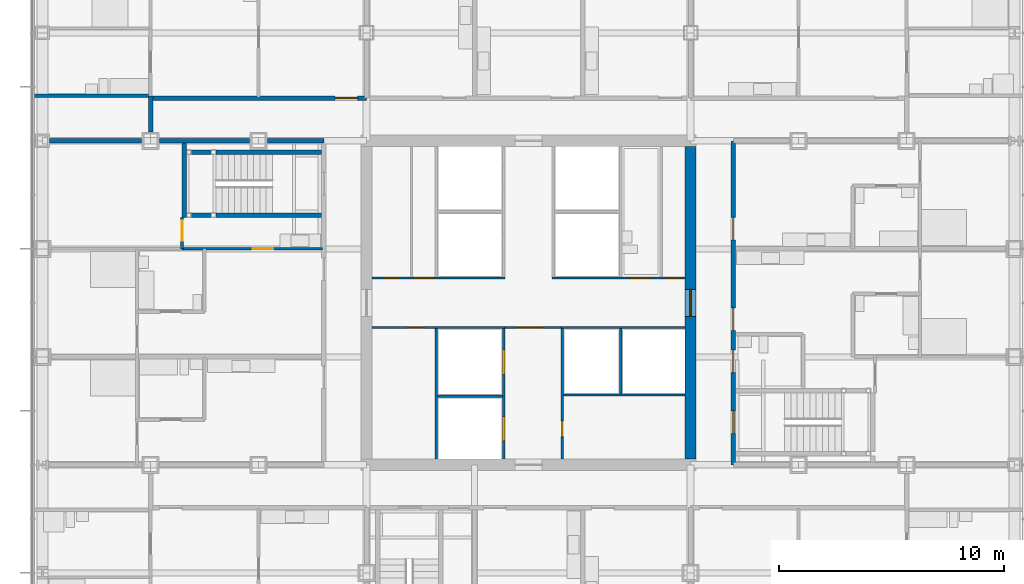
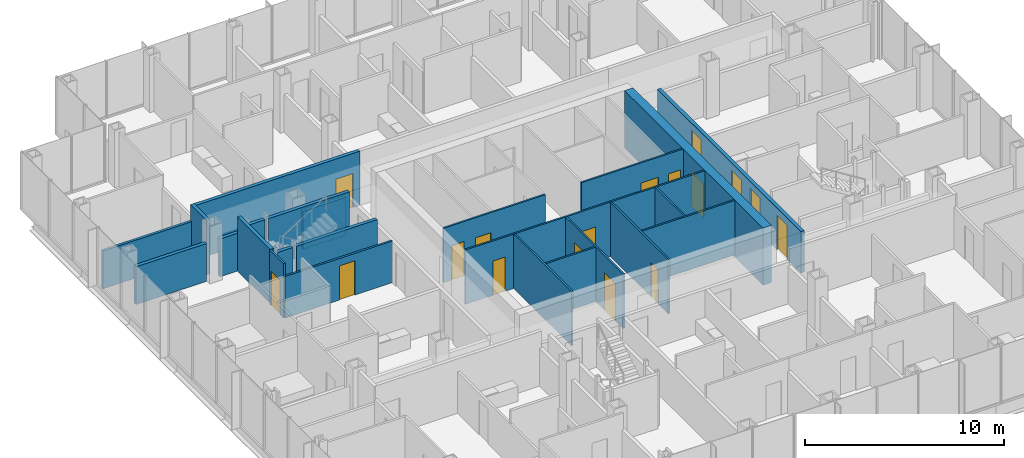
# One storey, part 15 of 21: 26 walls, 17 doors, 17 openings.
"""IFC4 building model written with IfcOpenShell, lengths in metres."""

from ifc_helpers import new_model, si_unit, direction, frame, frame_2d, origin, place, context, subcontext, project, spatial, rectangle, extrude, material, layer, layer_set, type_object, element, fill, save


model = new_model("IFC4")

# Units and contexts
model_context = context("Model", 3, precision=1e-05, world=origin(), true_north=direction((0.0, 1.0)))
body_context = subcontext(model_context, "Body", "Model", "MODEL_VIEW")
ifc_project = project(units=[si_unit("LENGTHUNIT", "METRE"), si_unit("AREAUNIT", "SQUARE_METRE"), si_unit("VOLUMEUNIT", "CUBIC_METRE"), si_unit("PLANEANGLEUNIT", "RADIAN"), si_unit("MASSUNIT", "GRAM", prefix="KILO")], contexts=[model_context])

# Site, building, storey
site_placement = place(None, origin())
site = spatial("IfcSite", under=ifc_project, at=site_placement, CompositionType="ELEMENT")
building_placement = place(site_placement, origin())
building = spatial("IfcBuilding", under=site, at=building_placement, Name="Kvirike Care Tower", CompositionType="ELEMENT")
storey_placement = place(building_placement, frame((0.0, 0.0, 55.0)))
storey = spatial("IfcBuildingStorey", under=building, at=storey_placement, Name="L14", CompositionType="ELEMENT", Elevation=55.0)

# Wall
ifc_material_1 = material(Name="Moisture-resistant board partition", Category="gypsum")
ifc_layer_1 = layer(ifc_material_1, 0.14990234375)
ifc_layer_set_1 = layer_set([ifc_layer_1], Name="BATHROOM WALL 150")
wall_type_1 = type_object("IfcWallType", Name="BATHROOM WALL 150", PredefinedType="PARTITIONING", material=ifc_layer_set_1)
wall_1_placement = place(storey_placement, frame((4.699951171875, 45.199951171875, 0.0), z_axis=(0.0, 0.0, 1.0), x_axis=(-1.0, 0.0, 0.0)))
element("IfcWall", 1, at=wall_1_placement, inside=storey, type_object=wall_type_1, Name="Bathroom Wall 150 L14", PredefinedType="PARTITIONING", context=body_context, shape_type="SweptSolid", body=[
    extrude(rectangle(XDim=5.135009765625, YDim=0.14990234375, at=frame_2d((2.5673828125, 0.0))), origin(), (0.0, 0.0, 1.0), 2.320068359375),
])

# Wall, opening, door
ifc_material_2 = material(Name="Concrete C60/75", Category="concrete")
ifc_layer_2 = layer(ifc_material_2, 0.5)
ifc_layer_set_2 = layer_set([ifc_layer_2], Name="CORE WALL 500 C60-75")
wall_type_2 = type_object("IfcWallType", Name="CORE WALL 500 C60-75", PredefinedType="SHEAR", material=ifc_layer_set_2)
wall_2_placement = place(storey_placement, frame((28.800048828125, 29.050048828125, -0.169921875), z_axis=(0.0, 0.0, 1.0), x_axis=(0.0, 1.0, 0.0)))
wall_2 = element("IfcWall", 2, at=wall_2_placement, inside=storey, type_object=wall_type_2, Name="Core wall E L14", PredefinedType="SHEAR", context=body_context, shape_type="SweptSolid", body=[
    extrude(rectangle(XDim=13.89990234375, YDim=0.5, at=frame_2d((6.949951171875, 0.0))), origin(), (0.0, 0.0, 1.0), 3.5),
])
opening_1_placement = place(wall_2_placement, frame((6.35009765625, 0.0, 0.169921875)))
opening_1 = element("IfcOpeningElement", 3, at=opening_1_placement, cuts=wall_2, Name="Opening 14-077", PredefinedType="OPENING", context=body_context, shape_type="SweptSolid", body=[
    extrude(rectangle(XDim=1.199951171875, YDim=2.10009765625, at=frame_2d((0.60009765625, 1.050048828125))), frame((0.0, 0.260498046875, 0.0), z_axis=(0.0, -1.0, 0.0), x_axis=(1.0, 0.0, 0.0)), (0.0, 0.0, 1.0), 0.52099609375),
])
ifc_material_3 = material(Name="Timber door set", Category="wood")
door_type_1 = type_object("IfcDoorType", Name="CORE DOOR 1200", OperationType="SINGLE_SWING_LEFT", PredefinedType="DOOR", material=ifc_material_3)
door_1_placement = place(opening_1_placement, origin())
door_1 = element("IfcDoor", 4, at=door_1_placement, inside=storey, type_object=door_type_1, Name="Core door E L14", OperationType="SINGLE_SWING_LEFT", OverallHeight=2.10009765625, OverallWidth=1.199951171875, PredefinedType="DOOR", context=body_context, shape_type="SweptSolid", body=[
    extrude(rectangle(XDim=1.199951171875, YDim=2.10009765625, at=frame_2d((0.60009765625, 1.050048828125))), frame((0.0, 0.02685546875, 0.0), z_axis=(0.0, -1.0, 0.0), x_axis=(1.0, 0.0, 0.0)), (0.0, 0.0, 1.0), 0.053955078125),
])
fill(opening_1, door_1)

ifc_material_4 = material(Name="Plasterboard corridor wall", Category="gypsum")
ifc_layer_3 = layer(ifc_material_4, 0.199951171875)
ifc_layer_set_3 = layer_set([ifc_layer_3], Name="CORRIDOR WALL 200")
wall_type_3 = type_object("IfcWallType", Name="CORRIDOR WALL 200", PredefinedType="PARTITIONING", material=ifc_layer_set_3)
wall_3_placement = place(storey_placement, frame((14.39990234375, 45.10009765625, 0.0), z_axis=(0.0, 0.0, 1.0), x_axis=(-1.0, 0.0, 0.0)))
wall_3 = element("IfcWall", 5, at=wall_3_placement, inside=storey, type_object=wall_type_3, Name="Corridor Wall 200 L14", PredefinedType="PARTITIONING", context=body_context, shape_type="SweptSolid", body=[
    extrude(rectangle(XDim=9.599853515625, YDim=0.199951171875, at=frame_2d((4.7998046875, 0.0))), origin(), (0.0, 0.0, 1.0), 3.330078125),
])
opening_2_placement = place(wall_3_placement, frame((0.39990234375, 0.0, 0.0)))
opening_2 = element("IfcOpeningElement", 6, at=opening_2_placement, cuts=wall_3, Name="Opening 14-023", PredefinedType="OPENING", context=body_context, shape_type="SweptSolid", body=[
    extrude(rectangle(XDim=1.0, YDim=2.10009765625, at=frame_2d((0.5, 1.050048828125))), frame((0.0, 0.110595703125, 0.0), z_axis=(0.0, -1.0, 0.0), x_axis=(1.0, 0.0, 0.0)), (0.0, 0.0, 1.0), 0.220947265625),
])
ifc_material_5 = material(Name="Timber door set", Category="wood")
door_type_2 = type_object("IfcDoorType", Name="FLAT ENTRANCE DOOR 1000", OperationType="SINGLE_SWING_LEFT", PredefinedType="DOOR", material=ifc_material_5)
door_2_placement = place(opening_2_placement, frame((1.0, 0.0, 0.0), z_axis=(0.0, 0.0, 1.0), x_axis=(-1.0, 0.0, 0.0)))
door_2 = element("IfcDoor", 7, at=door_2_placement, inside=storey, type_object=door_type_2, Name="Three-bedroom corner apartment entrance", OperationType="SINGLE_SWING_LEFT", OverallHeight=2.10009765625, OverallWidth=1.0, PredefinedType="DOOR", context=body_context, shape_type="SweptSolid", body=[
    extrude(rectangle(XDim=1.0, YDim=2.10009765625, at=frame_2d((0.5, 1.050048828125))), frame((0.0, 0.02685546875, 0.0), z_axis=(0.0, -1.0, 0.0), x_axis=(1.0, 0.0, 0.0)), (0.0, 0.0, 1.0), 0.053955078125),
])
fill(opening_2, door_2)

# Wall
wall_4_placement = place(storey_placement, frame((4.800048828125, 45.199951171875, 0.0), z_axis=(0.0, 0.0, 1.0), x_axis=(0.0, -1.0, 0.0)))
element("IfcWall", 8, at=wall_4_placement, inside=storey, type_object=wall_type_3, Name="Corridor Wall 200 L14", PredefinedType="PARTITIONING", context=body_context, shape_type="SweptSolid", body=[
    extrude(rectangle(XDim=1.60498046875, YDim=0.199951171875, at=frame_2d((0.802490234375, 0.0))), origin(), (0.0, 0.0, 1.0), 3.330078125),
])

# Wall, openings, doors
wall_5_placement = place(storey_placement, frame((30.699951171875, 28.800048828125, 0.0), z_axis=(0.0, 0.0, 1.0), x_axis=(0.0, 1.0, 0.0)))
wall_5 = element("IfcWall", 9, at=wall_5_placement, inside=storey, type_object=wall_type_3, Name="Corridor Wall 200 L14", PredefinedType="PARTITIONING", context=body_context, shape_type="SweptSolid", body=[
    extrude(rectangle(XDim=14.39990234375, YDim=0.199951171875, at=frame_2d((7.199951171875, 0.0))), origin(), (0.0, 0.0, 1.0), 2.550048828125),
])
opening_3_placement = place(wall_5_placement, frame((1.39990234375, 0.0, 0.0)))
opening_3 = element("IfcOpeningElement", 10, at=opening_3_placement, cuts=wall_5, Name="Opening 14-053", PredefinedType="OPENING", context=body_context, shape_type="SweptSolid", body=[
    extrude(rectangle(XDim=1.0, YDim=2.10009765625, at=frame_2d((0.5, 1.050048828125))), frame((0.0, 0.110595703125, 0.0), z_axis=(0.0, -1.0, 0.0), x_axis=(1.0, 0.0, 0.0)), (0.0, 0.0, 1.0), 0.220947265625),
])
opening_4_placement = place(wall_5_placement, frame((4.10009765625, 0.0, 0.0)))
opening_4 = element("IfcOpeningElement", 11, at=opening_4_placement, cuts=wall_5, Name="Opening 14-054", PredefinedType="OPENING", context=body_context, shape_type="SweptSolid", body=[
    extrude(rectangle(XDim=1.0, YDim=2.10009765625, at=frame_2d((0.5, 1.050048828125))), frame((0.0, 0.110595703125, 0.0), z_axis=(0.0, -1.0, 0.0), x_axis=(1.0, 0.0, 0.0)), (0.0, 0.0, 1.0), 0.220947265625),
])
opening_5_placement = place(wall_5_placement, frame((5.97509765625, 0.0, 0.0)))
opening_5 = element("IfcOpeningElement", 12, at=opening_5_placement, cuts=wall_5, Name="Opening 14-055", PredefinedType="OPENING", context=body_context, shape_type="SweptSolid", body=[
    extrude(rectangle(XDim=1.0, YDim=2.10009765625, at=frame_2d((0.5, 1.050048828125))), frame((0.0, 0.110595703125, 0.0), z_axis=(0.0, -1.0, 0.0), x_axis=(1.0, 0.0, 0.0)), (0.0, 0.0, 1.0), 0.220947265625),
])
opening_6_placement = place(wall_5_placement, frame((10.0, 0.0, 0.0)))
opening_6 = element("IfcOpeningElement", 13, at=opening_6_placement, cuts=wall_5, Name="Opening 14-056", PredefinedType="OPENING", context=body_context, shape_type="SweptSolid", body=[
    extrude(rectangle(XDim=1.0, YDim=2.10009765625, at=frame_2d((0.5, 1.050048828125))), frame((0.0, 0.110595703125, 0.0), z_axis=(0.0, -1.0, 0.0), x_axis=(1.0, 0.0, 0.0)), (0.0, 0.0, 1.0), 0.220947265625),
])
door_3_placement = place(opening_5_placement, frame((1.0, 0.0, 0.0), z_axis=(0.0, 0.0, 1.0), x_axis=(-1.0, 0.0, 0.0)))
door_3 = element("IfcDoor", 14, at=door_3_placement, inside=storey, type_object=door_type_2, Name="One-bedroom apartment entrance", OperationType="SINGLE_SWING_LEFT", OverallHeight=2.10009765625, OverallWidth=1.0, PredefinedType="DOOR", context=body_context, shape_type="SweptSolid", body=[
    extrude(rectangle(XDim=1.0, YDim=2.10009765625, at=frame_2d((0.5, 1.050048828125))), frame((0.0, 0.02685546875, 0.0), z_axis=(0.0, -1.0, 0.0), x_axis=(1.0, 0.0, 0.0)), (0.0, 0.0, 1.0), 0.053955078125),
])
fill(opening_5, door_3)
door_4_placement = place(opening_6_placement, frame((1.0, 0.0, 0.0), z_axis=(0.0, 0.0, 1.0), x_axis=(-1.0, 0.0, 0.0)))
door_4 = element("IfcDoor", 15, at=door_4_placement, inside=storey, type_object=door_type_2, Name="Studio apartment entrance", OperationType="SINGLE_SWING_LEFT", OverallHeight=2.10009765625, OverallWidth=1.0, PredefinedType="DOOR", context=body_context, shape_type="SweptSolid", body=[
    extrude(rectangle(XDim=1.0, YDim=2.10009765625, at=frame_2d((0.5, 1.050048828125))), frame((0.0, 0.02685546875, 0.0), z_axis=(0.0, -1.0, 0.0), x_axis=(1.0, 0.0, 0.0)), (0.0, 0.0, 1.0), 0.053955078125),
])
fill(opening_6, door_4)
ifc_material_6 = material(Name="Timber door set", Category="wood")
door_type_3 = type_object("IfcDoorType", Name="STAIR DOOR 1000", OperationType="SINGLE_SWING_LEFT", PredefinedType="DOOR", material=ifc_material_6)
door_5_placement = place(opening_3_placement, frame((1.0, 0.0, 0.0), z_axis=(0.0, 0.0, 1.0), x_axis=(-1.0, 0.0, 0.0)))
door_5 = element("IfcDoor", 16, at=door_5_placement, inside=storey, type_object=door_type_3, Name="Stair 2 door", OperationType="SINGLE_SWING_RIGHT", OverallHeight=2.10009765625, OverallWidth=1.0, PredefinedType="DOOR", context=body_context, shape_type="SweptSolid", body=[
    extrude(rectangle(XDim=1.0, YDim=2.10009765625, at=frame_2d((0.5, 1.050048828125))), frame((0.0, 0.031982421875, 0.0), z_axis=(0.0, -1.0, 0.0), x_axis=(1.0, 0.0, 0.0)), (0.0, 0.0, 1.0), 0.06396484375),
])
fill(opening_3, door_5)
ifc_material_7 = material(Name="Timber door set", Category="wood")
door_type_4 = type_object("IfcDoorType", Name="WC DOOR 1000", OperationType="SINGLE_SWING_LEFT", PredefinedType="DOOR", material=ifc_material_7)
door_6_placement = place(opening_4_placement, frame((1.0, 0.0, 0.0), z_axis=(0.0, 0.0, 1.0), x_axis=(-1.0, 0.0, 0.0)))
door_6 = element("IfcDoor", 17, at=door_6_placement, inside=storey, type_object=door_type_4, Name="Accessible WC door", OperationType="SINGLE_SWING_LEFT", OverallHeight=2.10009765625, OverallWidth=1.0, PredefinedType="DOOR", context=body_context, shape_type="SweptSolid", body=[
    extrude(rectangle(XDim=1.0, YDim=2.10009765625, at=frame_2d((0.5, 1.050048828125))), frame((0.0, 0.02685546875, 0.0), z_axis=(0.0, -1.0, 0.0), x_axis=(1.0, 0.0, 0.0)), (0.0, 0.0, 1.0), 0.053955078125),
])
fill(opening_4, door_6)

# Wall, opening, door
ifc_material_8 = material(Name="Plasterboard partition", Category="gypsum")
ifc_layer_4 = layer(ifc_material_8, 0.1201171875)
ifc_layer_set_4 = layer_set([ifc_layer_4], Name="PARTITION 120")
wall_type_4 = type_object("IfcWallType", Name="PARTITION 120", PredefinedType="PARTITIONING", material=ifc_layer_set_4)
wall_6_placement = place(storey_placement, frame((6.199951171875, 38.39990234375, 0.0), z_axis=(0.0, 0.0, 1.0), x_axis=(1.0, 0.0, 0.0)))
wall_6 = element("IfcWall", 18, at=wall_6_placement, inside=storey, type_object=wall_type_4, Name="Partition 120 L14", PredefinedType="PARTITIONING", context=body_context, shape_type="SweptSolid", body=[
    extrude(rectangle(XDim=6.25, YDim=0.1201171875, at=frame_2d((3.125, 0.0))), origin(), (0.0, 0.0, 1.0), 2.550048828125),
])
opening_7_placement = place(wall_6_placement, frame((3.14990234375, 0.0, 0.0)))
opening_7 = element("IfcOpeningElement", 19, at=opening_7_placement, cuts=wall_6, Name="Opening 14-009", PredefinedType="OPENING", context=body_context, shape_type="SweptSolid", body=[
    extrude(rectangle(XDim=0.89990234375, YDim=2.10009765625, at=frame_2d((0.449951171875, 1.050048828125))), frame((0.0, 0.070556640625, 0.0), z_axis=(0.0, -1.0, 0.0), x_axis=(1.0, 0.0, 0.0)), (0.0, 0.0, 1.0), 0.14111328125),
])
ifc_material_9 = material(Name="Timber door set", Category="wood")
door_type_5 = type_object("IfcDoorType", Name="INTERNAL DOOR 900", OperationType="SINGLE_SWING_LEFT", PredefinedType="DOOR", material=ifc_material_9)
door_7_placement = place(opening_7_placement, origin())
door_7 = element("IfcDoor", 20, at=door_7_placement, inside=storey, type_object=door_type_5, Name="Hall door", OperationType="SINGLE_SWING_LEFT", OverallHeight=2.10009765625, OverallWidth=0.89990234375, PredefinedType="DOOR", context=body_context, shape_type="SweptSolid", body=[
    extrude(rectangle(XDim=0.89990234375, YDim=2.10009765625, at=frame_2d((0.449951171875, 1.050048828125))), frame((0.0, 0.02197265625, 0.0), z_axis=(0.0, -1.0, 0.0), x_axis=(1.0, 0.0, 0.0)), (0.0, 0.0, 1.0), 0.0439453125),
])
fill(opening_7, door_7)

wall_7_placement = place(storey_placement, frame((6.199951171875, 39.800048828125, 0.0), z_axis=(0.0, 0.0, 1.0), x_axis=(0.0, -1.0, 0.0)))
wall_7 = element("IfcWall", 21, at=wall_7_placement, inside=storey, type_object=wall_type_4, Name="Partition 120 L14", PredefinedType="PARTITIONING", context=body_context, shape_type="SweptSolid", body=[
    extrude(rectangle(XDim=1.400146484375, YDim=0.1201171875, at=frame_2d((0.7001953125, 0.0))), origin(), (0.0, 0.0, 1.0), 3.330078125),
])
opening_8_placement = place(wall_7_placement, frame((0.14990234375, 0.0, 0.0)))
opening_8 = element("IfcOpeningElement", 22, at=opening_8_placement, cuts=wall_7, Name="Opening 14-010", PredefinedType="OPENING", context=body_context, shape_type="SweptSolid", body=[
    extrude(rectangle(XDim=0.89990234375, YDim=2.10009765625, at=frame_2d((0.449951171875, 1.050048828125))), frame((0.0, 0.070556640625, 0.0), z_axis=(0.0, -1.0, 0.0), x_axis=(1.0, 0.0, 0.0)), (0.0, 0.0, 1.0), 0.14111328125),
])
door_8_placement = place(opening_8_placement, origin())
door_8 = element("IfcDoor", 23, at=door_8_placement, inside=storey, type_object=door_type_5, Name="Apartment living room door", OperationType="SINGLE_SWING_RIGHT", OverallHeight=2.10009765625, OverallWidth=0.89990234375, PredefinedType="DOOR", context=body_context, shape_type="SweptSolid", body=[
    extrude(rectangle(XDim=0.89990234375, YDim=2.10009765625, at=frame_2d((0.449951171875, 1.050048828125))), frame((0.0, 0.02197265625, 0.0), z_axis=(0.0, -1.0, 0.0), x_axis=(1.0, 0.0, 0.0)), (0.0, 0.0, 1.0), 0.0439453125),
])
fill(opening_8, door_8)

# Walls
ifc_material_10 = material(Name="Plasterboard party wall", Category="gypsum")
ifc_layer_5 = layer(ifc_material_10, 0.199951171875)
ifc_layer_set_5 = layer_set([ifc_layer_5], Name="PARTY WALL 200")
wall_type_5 = type_object("IfcWallType", Name="PARTY WALL 200", PredefinedType="PARTITIONING", material=ifc_layer_set_5)
wall_8_placement = place(storey_placement, frame((12.5, 43.199951171875, 0.0), z_axis=(0.0, 0.0, 1.0), x_axis=(-1.0, 0.0, 0.0)))
element("IfcWall", 24, at=wall_8_placement, inside=storey, type_object=wall_type_5, Name="Party Wall 200 L14", PredefinedType="PARTITIONING", context=body_context, shape_type="SweptSolid", body=[
    extrude(rectangle(XDim=2.5048828125, YDim=0.199951171875, at=frame_2d((1.25244140625, 0.0))), origin(), (0.0, 0.0, 1.0), 2.320068359375),
])
wall_9_placement = place(storey_placement, frame((9.205078125, 43.199951171875, 0.0), z_axis=(0.0, 0.0, 1.0), x_axis=(-1.0, 0.0, 0.0)))
element("IfcWall", 25, at=wall_9_placement, inside=storey, type_object=wall_type_5, Name="Party Wall 200 L14", PredefinedType="PARTITIONING", context=body_context, shape_type="SweptSolid", body=[
    extrude(rectangle(XDim=4.010009765625, YDim=0.199951171875, at=frame_2d((2.0048828125, 0.0))), origin(), (0.0, 0.0, 1.0), 2.320068359375),
])
wall_10_placement = place(storey_placement, frame((4.405029296875, 43.199951171875, 0.0), z_axis=(0.0, 0.0, 1.0), x_axis=(-1.0, 0.0, 0.0)))
element("IfcWall", 26, at=wall_10_placement, inside=storey, type_object=wall_type_5, Name="Party Wall 200 L14", PredefinedType="PARTITIONING", context=body_context, shape_type="SweptSolid", body=[
    extrude(rectangle(XDim=4.0849609375, YDim=0.199951171875, at=frame_2d((2.04248046875, 0.0))), origin(), (0.0, 0.0, 1.0), 2.320068359375),
])

# Wall, openings, doors
ifc_material_11 = material(Name="Gypsum shaft wall system", Category="gypsum")
ifc_layer_6 = layer(ifc_material_11, 0.10009765625)
ifc_layer_set_6 = layer_set([ifc_layer_6], Name="SHAFT WALL 100")
wall_type_6 = type_object("IfcWallType", Name="SHAFT WALL 100", PredefinedType="SOLIDWALL", material=ifc_layer_set_6)
wall_11_placement = place(storey_placement, frame((20.5, 29.050048828125, 0.0), z_axis=(0.0, 0.0, 1.0), x_axis=(0.0, 1.0, 0.0)))
wall_11 = element("IfcWall", 27, at=wall_11_placement, inside=storey, type_object=wall_type_6, Name="Shaft Wall 100 L14", PredefinedType="SOLIDWALL", context=body_context, shape_type="SweptSolid", body=[
    extrude(rectangle(XDim=5.800048828125, YDim=0.10009765625, at=frame_2d((2.89990234375, 0.0))), origin(), (0.0, 0.0, 1.0), 3.330078125),
])
opening_9_placement = place(wall_11_placement, frame((0.800048828125, 0.0, 0.0)))
opening_9 = element("IfcOpeningElement", 28, at=opening_9_placement, cuts=wall_11, Name="Opening 14-064", PredefinedType="OPENING", context=body_context, shape_type="SweptSolid", body=[
    extrude(rectangle(XDim=1.10009765625, YDim=2.300048828125, at=frame_2d((0.550048828125, 1.14990234375))), frame((0.0, 0.060546875, 0.0), z_axis=(0.0, -1.0, 0.0), x_axis=(1.0, 0.0, 0.0)), (0.0, 0.0, 1.0), 0.12109375),
])
opening_10_placement = place(wall_11_placement, frame((3.77490234375, 0.0, 0.0)))
opening_10 = element("IfcOpeningElement", 29, at=opening_10_placement, cuts=wall_11, Name="Opening 14-065", PredefinedType="OPENING", context=body_context, shape_type="SweptSolid", body=[
    extrude(rectangle(XDim=1.10009765625, YDim=2.300048828125, at=frame_2d((0.550048828125, 1.14990234375))), frame((0.0, 0.060546875, 0.0), z_axis=(0.0, -1.0, 0.0), x_axis=(1.0, 0.0, 0.0)), (0.0, 0.0, 1.0), 0.12109375),
])
ifc_material_12 = material(Name="Aluminium door frame", Category="aluminium")
door_type_6 = type_object("IfcDoorType", Name="FIRE-FIGHTING LIFT LANDING DOOR 1100", OperationType="SLIDING_TO_LEFT", PredefinedType="DOOR", material=ifc_material_12)
door_9_placement = place(opening_9_placement, origin())
door_9 = element("IfcDoor", 30, at=door_9_placement, inside=storey, type_object=door_type_6, Name="Lift FF1 landing door", OperationType="SLIDING_TO_LEFT", OverallHeight=2.300048828125, OverallWidth=1.10009765625, PredefinedType="DOOR", context=body_context, shape_type="SweptSolid", body=[
    extrude(rectangle(XDim=1.10009765625, YDim=2.300048828125, at=frame_2d((0.550048828125, 1.14990234375))), frame((0.0, 0.0498046875, 0.0), z_axis=(0.0, -1.0, 0.0), x_axis=(1.0, 0.0, 0.0)), (0.0, 0.0, 1.0), 0.099609375),
])
fill(opening_9, door_9)
door_10_placement = place(opening_10_placement, origin())
door_10 = element("IfcDoor", 31, at=door_10_placement, inside=storey, type_object=door_type_6, Name="Lift FF2 landing door", OperationType="SLIDING_TO_LEFT", OverallHeight=2.300048828125, OverallWidth=1.10009765625, PredefinedType="DOOR", context=body_context, shape_type="SweptSolid", body=[
    extrude(rectangle(XDim=1.10009765625, YDim=2.300048828125, at=frame_2d((0.550048828125, 1.14990234375))), frame((0.0, 0.0498046875, 0.0), z_axis=(0.0, -1.0, 0.0), x_axis=(1.0, 0.0, 0.0)), (0.0, 0.0, 1.0), 0.099609375),
])
fill(opening_10, door_10)

# Wall, opening, door
wall_12_placement = place(storey_placement, frame((23.10009765625, 29.050048828125, 0.0), z_axis=(0.0, 0.0, 1.0), x_axis=(0.0, 1.0, 0.0)))
wall_12 = element("IfcWall", 32, at=wall_12_placement, inside=storey, type_object=wall_type_6, Name="Shaft Wall 100 L14", PredefinedType="SOLIDWALL", context=body_context, shape_type="SweptSolid", body=[
    extrude(rectangle(XDim=5.800048828125, YDim=0.10009765625, at=frame_2d((2.89990234375, 0.0))), origin(), (0.0, 0.0, 1.0), 3.330078125),
])
opening_11_placement = place(wall_12_placement, frame((1.0, 0.0, 0.0)))
opening_11 = element("IfcOpeningElement", 33, at=opening_11_placement, cuts=wall_12, Name="Opening 14-068", PredefinedType="OPENING", context=body_context, shape_type="SweptSolid", body=[
    extrude(rectangle(XDim=0.699951171875, YDim=2.10009765625, at=frame_2d((0.35009765625, 1.050048828125))), frame((0.0, 0.060546875, 0.0), z_axis=(0.0, -1.0, 0.0), x_axis=(1.0, 0.0, 0.0)), (0.0, 0.0, 1.0), 0.12109375),
])
ifc_material_13 = material(Name="Timber door set", Category="wood")
door_type_7 = type_object("IfcDoorType", Name="RISER DOOR 700", OperationType="SINGLE_SWING_LEFT", PredefinedType="DOOR", material=ifc_material_13)
door_11_placement = place(opening_11_placement, origin())
door_11 = element("IfcDoor", 34, at=door_11_placement, inside=storey, type_object=door_type_7, Name="Riser door", OperationType="SINGLE_SWING_RIGHT", OverallHeight=2.10009765625, OverallWidth=0.699951171875, PredefinedType="DOOR", context=body_context, shape_type="SweptSolid", body=[
    extrude(rectangle(XDim=0.699951171875, YDim=2.10009765625, at=frame_2d((0.35009765625, 1.050048828125))), frame((0.0, 0.02685546875, 0.0), z_axis=(0.0, -1.0, 0.0), x_axis=(1.0, 0.0, 0.0)), (0.0, 0.0, 1.0), 0.053955078125),
])
fill(opening_11, door_11)

wall_13_placement = place(storey_placement, frame((14.64990234375, 34.89990234375, 0.0), z_axis=(0.0, 0.0, 1.0), x_axis=(1.0, 0.0, 0.0)))
wall_13 = element("IfcWall", 35, at=wall_13_placement, inside=storey, type_object=wall_type_6, Name="Shaft Wall 100 L14", PredefinedType="SOLIDWALL", context=body_context, shape_type="SweptSolid", body=[
    extrude(rectangle(XDim=5.900146484375, YDim=0.10009765625, at=frame_2d((2.9501953125, 0.0))), origin(), (0.0, 0.0, 1.0), 3.330078125),
])
opening_12_placement = place(wall_13_placement, frame((1.60009765625, 0.0, 0.0)))
opening_12 = element("IfcOpeningElement", 36, at=opening_12_placement, cuts=wall_13, Name="Opening 14-069", PredefinedType="OPENING", context=body_context, shape_type="SweptSolid", body=[
    extrude(rectangle(XDim=0.699951171875, YDim=2.10009765625, at=frame_2d((0.35009765625, 1.050048828125))), frame((0.0, 0.060546875, 0.0), z_axis=(0.0, -1.0, 0.0), x_axis=(1.0, 0.0, 0.0)), (0.0, 0.0, 1.0), 0.12109375),
])
door_12_placement = place(opening_12_placement, frame((0.699951171875, 0.0, 0.0), z_axis=(0.0, 0.0, 1.0), x_axis=(-1.0, 0.0, 0.0)))
door_12 = element("IfcDoor", 37, at=door_12_placement, inside=storey, type_object=door_type_7, Name="Riser door", OperationType="SINGLE_SWING_RIGHT", OverallHeight=2.10009765625, OverallWidth=0.699951171875, PredefinedType="DOOR", context=body_context, shape_type="SweptSolid", body=[
    extrude(rectangle(XDim=0.699951171875, YDim=2.10009765625, at=frame_2d((0.35009765625, 1.050048828125))), frame((0.0, 0.02685546875, 0.0), z_axis=(0.0, -1.0, 0.0), x_axis=(1.0, 0.0, 0.0)), (0.0, 0.0, 1.0), 0.053955078125),
])
fill(opening_12, door_12)

# Wall
wall_14_placement = place(storey_placement, frame((23.050048828125, 34.89990234375, 0.0), z_axis=(0.0, 0.0, 1.0), x_axis=(1.0, 0.0, 0.0)))
element("IfcWall", 38, at=wall_14_placement, inside=storey, type_object=wall_type_6, Name="Shaft Wall 100 L14", PredefinedType="SOLIDWALL", context=body_context, shape_type="SweptSolid", body=[
    extrude(rectangle(XDim=5.5, YDim=0.10009765625, at=frame_2d((2.75, 0.0))), origin(), (0.0, 0.0, 1.0), 3.330078125),
])

# Wall, openings, doors
wall_15_placement = place(storey_placement, frame((14.64990234375, 37.10009765625, 0.0), z_axis=(0.0, 0.0, 1.0), x_axis=(1.0, 0.0, 0.0)))
wall_15 = element("IfcWall", 39, at=wall_15_placement, inside=storey, type_object=wall_type_6, Name="Shaft Wall 100 L14", PredefinedType="SOLIDWALL", context=body_context, shape_type="SweptSolid", body=[
    extrude(rectangle(XDim=5.900146484375, YDim=0.10009765625, at=frame_2d((2.9501953125, 0.0))), origin(), (0.0, 0.0, 1.0), 3.330078125),
])
opening_13_placement = place(wall_15_placement, frame((0.5, 0.0, 0.0)))
opening_13 = element("IfcOpeningElement", 40, at=opening_13_placement, cuts=wall_15, Name="Opening 14-070", PredefinedType="OPENING", context=body_context, shape_type="SweptSolid", body=[
    extrude(rectangle(XDim=0.699951171875, YDim=2.10009765625, at=frame_2d((0.35009765625, 1.050048828125))), frame((0.0, 0.060546875, 0.0), z_axis=(0.0, -1.0, 0.0), x_axis=(1.0, 0.0, 0.0)), (0.0, 0.0, 1.0), 0.12109375),
])
opening_14_placement = place(wall_15_placement, frame((1.85009765625, 0.0, 0.0)))
opening_14 = element("IfcOpeningElement", 41, at=opening_14_placement, cuts=wall_15, Name="Opening 14-071", PredefinedType="OPENING", context=body_context, shape_type="SweptSolid", body=[
    extrude(rectangle(XDim=0.89990234375, YDim=2.10009765625, at=frame_2d((0.449951171875, 1.050048828125))), frame((0.0, 0.060546875, 0.0), z_axis=(0.0, -1.0, 0.0), x_axis=(1.0, 0.0, 0.0)), (0.0, 0.0, 1.0), 0.12109375),
])
door_13_placement = place(opening_13_placement, origin())
door_13 = element("IfcDoor", 42, at=door_13_placement, inside=storey, type_object=door_type_7, Name="Riser door", OperationType="SINGLE_SWING_RIGHT", OverallHeight=2.10009765625, OverallWidth=0.699951171875, PredefinedType="DOOR", context=body_context, shape_type="SweptSolid", body=[
    extrude(rectangle(XDim=0.699951171875, YDim=2.10009765625, at=frame_2d((0.35009765625, 1.050048828125))), frame((0.0, 0.02685546875, 0.0), z_axis=(0.0, -1.0, 0.0), x_axis=(1.0, 0.0, 0.0)), (0.0, 0.0, 1.0), 0.053955078125),
])
fill(opening_13, door_13)
ifc_material_14 = material(Name="Timber door set", Category="wood")
door_type_8 = type_object("IfcDoorType", Name="STORE DOOR 900", OperationType="SINGLE_SWING_LEFT", PredefinedType="DOOR", material=ifc_material_14)
door_14_placement = place(opening_14_placement, origin())
door_14 = element("IfcDoor", 43, at=door_14_placement, inside=storey, type_object=door_type_8, Name="Housekeeping store door", OperationType="SINGLE_SWING_LEFT", OverallHeight=2.10009765625, OverallWidth=0.89990234375, PredefinedType="DOOR", context=body_context, shape_type="SweptSolid", body=[
    extrude(rectangle(XDim=0.89990234375, YDim=2.10009765625, at=frame_2d((0.449951171875, 1.050048828125))), frame((0.0, 0.02685546875, 0.0), z_axis=(0.0, -1.0, 0.0), x_axis=(1.0, 0.0, 0.0)), (0.0, 0.0, 1.0), 0.053955078125),
])
fill(opening_14, door_14)

wall_16_placement = place(storey_placement, frame((22.64990234375, 37.10009765625, 0.0), z_axis=(0.0, 0.0, 1.0), x_axis=(1.0, 0.0, 0.0)))
wall_16 = element("IfcWall", 44, at=wall_16_placement, inside=storey, type_object=wall_type_6, Name="Shaft Wall 100 L14", PredefinedType="SOLIDWALL", context=body_context, shape_type="SweptSolid", body=[
    extrude(rectangle(XDim=5.900146484375, YDim=0.10009765625, at=frame_2d((2.9501953125, 0.0))), origin(), (0.0, 0.0, 1.0), 3.330078125),
])
opening_15_placement = place(wall_16_placement, frame((3.449951171875, 0.0, 0.0)))
opening_15 = element("IfcOpeningElement", 45, at=opening_15_placement, cuts=wall_16, Name="Opening 14-072", PredefinedType="OPENING", context=body_context, shape_type="SweptSolid", body=[
    extrude(rectangle(XDim=1.0, YDim=2.10009765625, at=frame_2d((0.5, 1.050048828125))), frame((0.0, 0.060546875, 0.0), z_axis=(0.0, -1.0, 0.0), x_axis=(1.0, 0.0, 0.0)), (0.0, 0.0, 1.0), 0.12109375),
])
opening_16_placement = place(wall_16_placement, frame((5.050048828125, 0.0, 0.0)))
opening_16 = element("IfcOpeningElement", 46, at=opening_16_placement, cuts=wall_16, Name="Opening 14-073", PredefinedType="OPENING", context=body_context, shape_type="SweptSolid", body=[
    extrude(rectangle(XDim=0.699951171875, YDim=2.10009765625, at=frame_2d((0.35009765625, 1.050048828125))), frame((0.0, 0.060546875, 0.0), z_axis=(0.0, -1.0, 0.0), x_axis=(1.0, 0.0, 0.0)), (0.0, 0.0, 1.0), 0.12109375),
])
door_15_placement = place(opening_16_placement, origin())
door_15 = element("IfcDoor", 47, at=door_15_placement, inside=storey, type_object=door_type_7, Name="Riser door", OperationType="SINGLE_SWING_RIGHT", OverallHeight=2.10009765625, OverallWidth=0.699951171875, PredefinedType="DOOR", context=body_context, shape_type="SweptSolid", body=[
    extrude(rectangle(XDim=0.699951171875, YDim=2.10009765625, at=frame_2d((0.35009765625, 1.050048828125))), frame((0.0, 0.02685546875, 0.0), z_axis=(0.0, -1.0, 0.0), x_axis=(1.0, 0.0, 0.0)), (0.0, 0.0, 1.0), 0.053955078125),
])
fill(opening_16, door_15)
door_16_placement = place(opening_15_placement, origin())
door_16 = element("IfcDoor", 48, at=door_16_placement, inside=storey, type_object=door_type_4, Name="Staff WC door", OperationType="SINGLE_SWING_RIGHT", OverallHeight=2.10009765625, OverallWidth=1.0, PredefinedType="DOOR", context=body_context, shape_type="SweptSolid", body=[
    extrude(rectangle(XDim=1.0, YDim=2.10009765625, at=frame_2d((0.5, 1.050048828125))), frame((0.0, 0.02685546875, 0.0), z_axis=(0.0, -1.0, 0.0), x_axis=(1.0, 0.0, 0.0)), (0.0, 0.0, 1.0), 0.053955078125),
])
fill(opening_15, door_16)

# Wall, opening, door
wall_17_placement = place(storey_placement, frame((20.550048828125, 34.89990234375, 0.0), z_axis=(0.0, 0.0, 1.0), x_axis=(1.0, 0.0, 0.0)))
wall_17 = element("IfcWall", 49, at=wall_17_placement, inside=storey, type_object=wall_type_6, Name="Shaft Wall 100 L14", PredefinedType="SOLIDWALL", context=body_context, shape_type="SweptSolid", body=[
    extrude(rectangle(XDim=2.5, YDim=0.10009765625, at=frame_2d((1.25, 0.0))), origin(), (0.0, 0.0, 1.0), 3.330078125),
])
opening_17_placement = place(wall_17_placement, frame((0.449951171875, 0.0, 0.0)))
opening_17 = element("IfcOpeningElement", 50, at=opening_17_placement, cuts=wall_17, Name="Opening 14-074", PredefinedType="OPENING", context=body_context, shape_type="SweptSolid", body=[
    extrude(rectangle(XDim=1.199951171875, YDim=2.10009765625, at=frame_2d((0.60009765625, 1.050048828125))), frame((0.0, 0.060546875, 0.0), z_axis=(0.0, -1.0, 0.0), x_axis=(1.0, 0.0, 0.0)), (0.0, 0.0, 1.0), 0.12109375),
])
door_17_placement = place(opening_17_placement, frame((1.199951171875, 0.0, 0.0), z_axis=(0.0, 0.0, 1.0), x_axis=(-1.0, 0.0, 0.0)))
door_17 = element("IfcDoor", 51, at=door_17_placement, inside=storey, type_object=door_type_1, Name="Fire-fighting lobby door", OperationType="SINGLE_SWING_LEFT", OverallHeight=2.10009765625, OverallWidth=1.199951171875, PredefinedType="DOOR", context=body_context, shape_type="SweptSolid", body=[
    extrude(rectangle(XDim=1.199951171875, YDim=2.10009765625, at=frame_2d((0.60009765625, 1.050048828125))), frame((0.0, 0.02685546875, 0.0), z_axis=(0.0, -1.0, 0.0), x_axis=(1.0, 0.0, 0.0)), (0.0, 0.0, 1.0), 0.053955078125),
])
fill(opening_17, door_17)

# Walls
wall_18_placement = place(storey_placement, frame((17.5, 29.050048828125, 0.0), z_axis=(0.0, 0.0, 1.0), x_axis=(0.0, 1.0, 0.0)))
element("IfcWall", 52, at=wall_18_placement, inside=storey, type_object=wall_type_6, Name="Shaft Wall 100 L14", PredefinedType="SOLIDWALL", context=body_context, shape_type="SweptSolid", body=[
    extrude(rectangle(XDim=5.800048828125, YDim=0.10009765625, at=frame_2d((2.89990234375, 0.0))), origin(), (0.0, 0.0, 1.0), 3.330078125),
])
wall_19_placement = place(storey_placement, frame((17.550048828125, 31.85009765625, 0.0), z_axis=(0.0, 0.0, 1.0), x_axis=(1.0, 0.0, 0.0)))
element("IfcWall", 53, at=wall_19_placement, inside=storey, type_object=wall_type_6, Name="Shaft Wall 100 L14", PredefinedType="SOLIDWALL", context=body_context, shape_type="SweptSolid", body=[
    extrude(rectangle(XDim=2.89990234375, YDim=0.10009765625, at=frame_2d((1.449951171875, 0.0))), origin(), (0.0, 0.0, 1.0), 3.330078125),
])
wall_20_placement = place(storey_placement, frame((25.699951171875, 31.949951171875, 0.0), z_axis=(0.0, 0.0, 1.0), x_axis=(0.0, 1.0, 0.0)))
element("IfcWall", 54, at=wall_20_placement, inside=storey, type_object=wall_type_6, Name="Shaft Wall 100 L14", PredefinedType="SOLIDWALL", context=body_context, shape_type="SweptSolid", body=[
    extrude(rectangle(XDim=2.900146484375, YDim=0.10009765625, at=frame_2d((1.4501953125, 0.0))), origin(), (0.0, 0.0, 1.0), 3.330078125),
])
wall_21_placement = place(storey_placement, frame((23.14990234375, 31.89990234375, 0.0), z_axis=(0.0, 0.0, 1.0), x_axis=(1.0, 0.0, 0.0)))
element("IfcWall", 55, at=wall_21_placement, inside=storey, type_object=wall_type_6, Name="Shaft Wall 100 L14", PredefinedType="SOLIDWALL", context=body_context, shape_type="SweptSolid", body=[
    extrude(rectangle(XDim=5.400146484375, YDim=0.10009765625, at=frame_2d((2.7001953125, 0.0))), origin(), (0.0, 0.0, 1.0), 3.330078125),
])
ifc_material_15 = material(Name="Concrete C40/50", Category="concrete")
ifc_layer_7 = layer(ifc_material_15, 0.199951171875)
ifc_layer_set_7 = layer_set([ifc_layer_7], Name="STAIR WALL 200")
wall_type_7 = type_object("IfcWallType", Name="STAIR WALL 200", PredefinedType="SOLIDWALL", material=ifc_layer_set_7)
wall_22_placement = place(storey_placement, frame((6.60009765625, 42.699951171875, 0.0), z_axis=(0.0, 0.0, 1.0), x_axis=(1.0, 0.0, 0.0)))
element("IfcWall", 56, at=wall_22_placement, inside=storey, type_object=wall_type_7, Name="Stair Wall 200 L14", PredefinedType="SOLIDWALL", context=body_context, shape_type="SweptSolid", body=[
    extrude(rectangle(XDim=0.89990234375, YDim=0.199951171875, at=frame_2d((0.449951171875, 0.0))), origin(), (0.0, 0.0, 1.0), 2.989990234375),
])
wall_23_placement = place(storey_placement, frame((7.699951171875, 42.699951171875, 0.0), z_axis=(0.0, 0.0, 1.0), x_axis=(1.0, 0.0, 0.0)))
element("IfcWall", 57, at=wall_23_placement, inside=storey, type_object=wall_type_7, Name="Stair Wall 200 L14", PredefinedType="SOLIDWALL", context=body_context, shape_type="SweptSolid", body=[
    extrude(rectangle(XDim=4.699951171875, YDim=0.199951171875, at=frame_2d((2.35009765625, 0.0))), origin(), (0.0, 0.0, 1.0), 2.989990234375),
])
wall_24_placement = place(storey_placement, frame((6.60009765625, 39.89990234375, 0.0), z_axis=(0.0, 0.0, 1.0), x_axis=(1.0, 0.0, 0.0)))
element("IfcWall", 58, at=wall_24_placement, inside=storey, type_object=wall_type_7, Name="Stair Wall 200 L14", PredefinedType="SOLIDWALL", context=body_context, shape_type="SweptSolid", body=[
    extrude(rectangle(XDim=0.89990234375, YDim=0.199951171875, at=frame_2d((0.449951171875, 0.0))), origin(), (0.0, 0.0, 1.0), 2.989990234375),
])
wall_25_placement = place(storey_placement, frame((7.699951171875, 39.89990234375, 0.0), z_axis=(0.0, 0.0, 1.0), x_axis=(1.0, 0.0, 0.0)))
element("IfcWall", 59, at=wall_25_placement, inside=storey, type_object=wall_type_7, Name="Stair Wall 200 L14", PredefinedType="SOLIDWALL", context=body_context, shape_type="SweptSolid", body=[
    extrude(rectangle(XDim=4.699951171875, YDim=0.199951171875, at=frame_2d((2.35009765625, 0.0))), origin(), (0.0, 0.0, 1.0), 2.989990234375),
])
wall_26_placement = place(storey_placement, frame((6.300048828125, 43.10009765625, 0.0), z_axis=(0.0, 0.0, 1.0), x_axis=(0.0, -1.0, 0.0)))
element("IfcWall", 60, at=wall_26_placement, inside=storey, type_object=wall_type_7, Name="Stair Wall 200 L14", PredefinedType="SOLIDWALL", context=body_context, shape_type="SweptSolid", body=[
    extrude(rectangle(XDim=3.300048828125, YDim=0.199951171875, at=frame_2d((1.64990234375, 0.0))), origin(), (0.0, 0.0, 1.0), 3.330078125),
])

save(model, "model.ifc")
